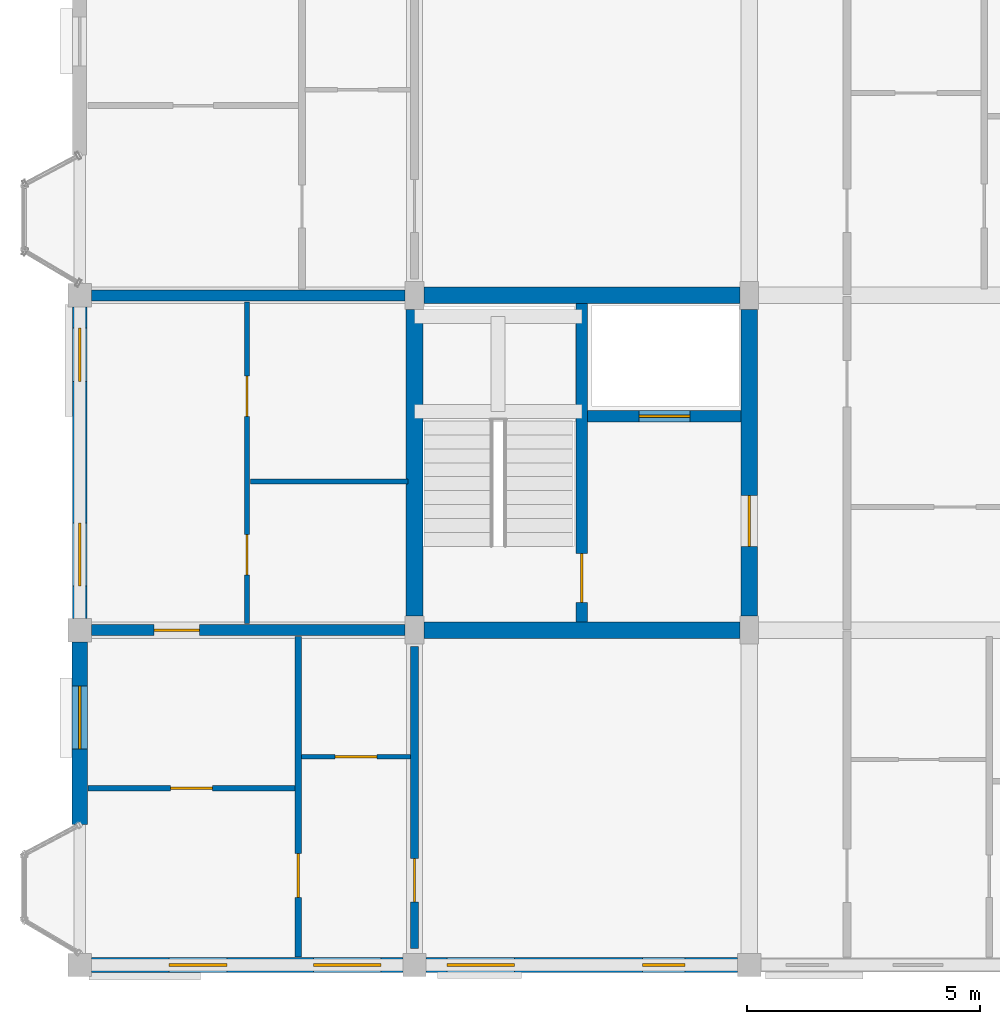
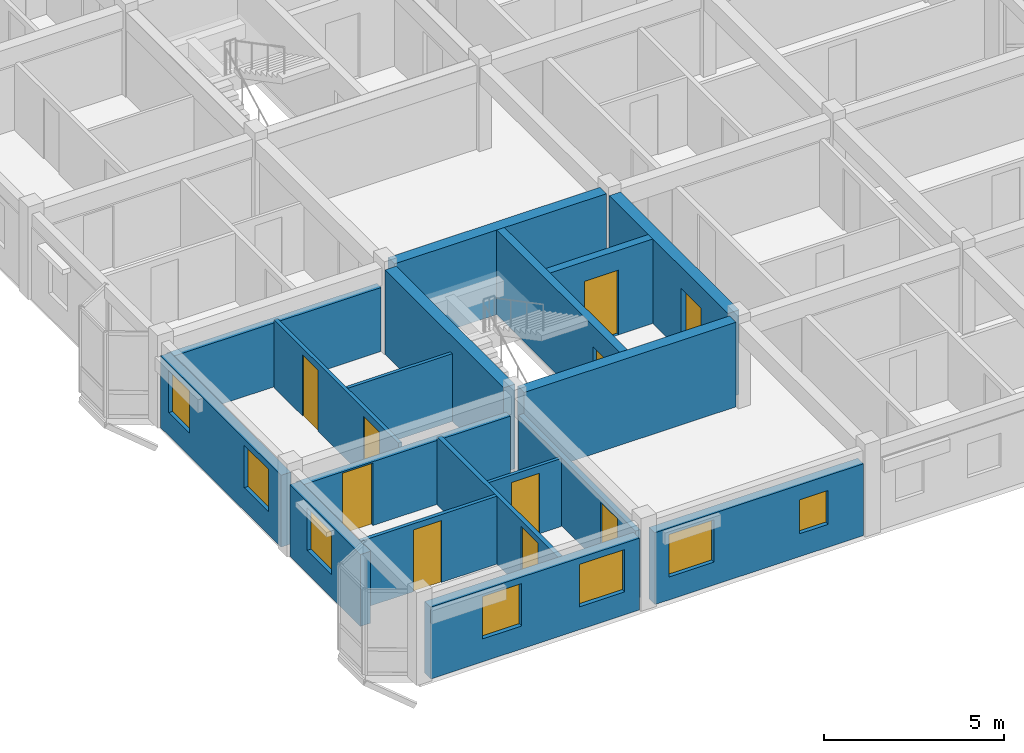
# One storey, part 46 of 70: 18 walls, 10 doors, 7 windows, 17 openings.
"""IFC4 building model written with IfcOpenShell, lengths in metres."""

from ifc_helpers import new_model, si_unit, direction, frame, frame_2d, origin, place, context, subcontext, project, spatial, rectangle, extrude, material, layer, layer_set, type_object, element, fill, save


model = new_model("IFC4")

# Units and contexts
model_context = context("Model", 3, precision=1e-05, world=origin(), true_north=direction((0.0, 1.0)))
body_context = subcontext(model_context, "Body", "Model", "MODEL_VIEW")
ifc_project = project(units=[si_unit("LENGTHUNIT", "METRE"), si_unit("AREAUNIT", "SQUARE_METRE"), si_unit("VOLUMEUNIT", "CUBIC_METRE"), si_unit("PLANEANGLEUNIT", "RADIAN"), si_unit("MASSUNIT", "GRAM", prefix="KILO"), si_unit("THERMODYNAMICTEMPERATUREUNIT", "KELVIN"), si_unit("POWERUNIT", "WATT")], contexts=[model_context])

# Site, building, storey
site_placement = place(None, origin())
site = spatial("IfcSite", under=ifc_project, at=site_placement, CompositionType="ELEMENT")
building_placement = place(site_placement, origin())
building = spatial("IfcBuilding", under=site, at=building_placement, Name="Tavuni Mirador Residences", CompositionType="ELEMENT")
storey_placement = place(building_placement, frame((0.0, 0.0, 23.39990234375)))
storey = spatial("IfcBuildingStorey", under=building, at=storey_placement, Name="L07", CompositionType="ELEMENT", Elevation=23.39990234375)

# Wall, opening, door
ifc_material_1 = material(Name="Precast concrete C40/50", Category="concrete")
ifc_layer_1 = layer(ifc_material_1, 0.25, Name="Precast concrete C40/50", Category="concrete")
ifc_layer_set_1 = layer_set([ifc_layer_1], Name="Precast concrete C40/50")
wall_type_1 = type_object("IfcWallType", Name="WT-COR250", PredefinedType="SHEAR", material=ifc_layer_set_1)
wall_1_placement = place(storey_placement, frame((14.39990234375, 14.580078125, 0.0), z_axis=(0.0, 0.0, 1.0), x_axis=(0.0, 1.0, 0.0)))
wall_1 = element("IfcWall", 1, at=wall_1_placement, inside=storey, type_object=wall_type_1, Name="CWALL-C1-L07-MID", PredefinedType="SHEAR", context=body_context, shape_type="SweptSolid", body=[
    extrude(rectangle(XDim=6.83984375, YDim=0.25, at=frame_2d((3.419921875, 0.0))), origin(), (0.0, 0.0, 1.0), 2.8701171875),
])
opening_1_placement = place(wall_1_placement, frame((0.419921875, 0.0, 0.0)))
opening_1 = element("IfcOpeningElement", 2, at=opening_1_placement, cuts=wall_1, Name="Opening D-01", PredefinedType="OPENING", context=body_context, shape_type="SweptSolid", body=[
    extrude(rectangle(XDim=1.050048828125, YDim=2.14990234375, at=frame_2d((0.52490234375, 1.074951171875))), frame((0.0, 0.135009765625, 0.0), z_axis=(0.0, -1.0, 0.0), x_axis=(1.0, 0.0, 0.0)), (0.0, 0.0, 1.0), 0.27001953125),
])
ifc_material_2 = material(Name="Solid core iroko timber", Category="wood")
door_type_1 = type_object("IfcDoorType", Name="DT-ST1050", OperationType="NOTDEFINED", PredefinedType="DOOR", material=ifc_material_2)
door_1_placement = place(opening_1_placement, origin())
door_1 = element("IfcDoor", 3, at=door_1_placement, inside=storey, type_object=door_type_1, Name="DR-2028", OperationType="SINGLE_SWING_RIGHT", OverallHeight=2.14990234375, OverallWidth=1.050048828125, PredefinedType="DOOR", context=body_context, shape_type="SweptSolid", body=[
    extrude(rectangle(XDim=1.050048828125, YDim=2.14990234375, at=frame_2d((0.52490234375, 1.074951171875))), frame((0.0, 0.02490234375, 0.0), z_axis=(0.0, -1.0, 0.0), x_axis=(1.0, 0.0, 0.0)), (0.0, 0.0, 1.0), 0.050048828125),
])
fill(opening_1, door_1)

wall_2_placement = place(storey_placement, frame((14.52490234375, 19.0, 0.0), z_axis=(0.0, 0.0, 1.0), x_axis=(1.0, 0.0, 0.0)))
wall_2 = element("IfcWall", 4, at=wall_2_placement, inside=storey, type_object=wall_type_1, Name="CWALL-C1-L07-SHF", PredefinedType="SHEAR", context=body_context, shape_type="SweptSolid", body=[
    extrude(rectangle(XDim=3.295166015625, YDim=0.25, at=frame_2d((1.6474609375, 0.0))), origin(), (0.0, 0.0, 1.0), 2.8701171875),
])
opening_2_placement = place(wall_2_placement, frame((1.10009765625, 0.0, 0.0)))
opening_2 = element("IfcOpeningElement", 5, at=opening_2_placement, cuts=wall_2, Name="Opening LD-01", PredefinedType="OPENING", context=body_context, shape_type="SweptSolid", body=[
    extrude(rectangle(XDim=1.10009765625, YDim=2.199951171875, at=frame_2d((0.550048828125, 1.10009765625))), frame((0.0, 0.135009765625, 0.0), z_axis=(0.0, -1.0, 0.0), x_axis=(1.0, 0.0, 0.0)), (0.0, 0.0, 1.0), 0.27001953125),
])
ifc_material_3 = material(Name="Structural steel S355", Category="steel")
door_type_2 = type_object("IfcDoorType", Name="DT-LD-FF", OperationType="SLIDING_TO_LEFT", PredefinedType="DOOR", material=ifc_material_3)
door_2_placement = place(opening_2_placement, origin())
door_2 = element("IfcDoor", 6, at=door_2_placement, inside=storey, type_object=door_type_2, Name="Lift landing door FL-A1 L07", OperationType="SLIDING_TO_LEFT", OverallHeight=2.199951171875, OverallWidth=1.10009765625, PredefinedType="DOOR", context=body_context, shape_type="SweptSolid", body=[
    extrude(rectangle(XDim=1.10009765625, YDim=2.199951171875, at=frame_2d((0.550048828125, 1.10009765625))), frame((0.0, 0.02490234375, 0.0), z_axis=(0.0, -1.0, 0.0), x_axis=(1.0, 0.0, 0.0)), (0.0, 0.0, 1.0), 0.050048828125),
])
fill(opening_2, door_2)

# Walls
ifc_layer_2 = layer(ifc_material_1, 0.360107421875, Name="Precast concrete C40/50", Category="concrete")
ifc_layer_set_2 = layer_set([ifc_layer_2], Name="Precast concrete C40/50")
wall_type_2 = type_object("IfcWallType", Name="WT-COR360", PredefinedType="SHEAR", material=ifc_layer_set_2)
wall_3_placement = place(storey_placement, frame((10.800048828125, 14.699951171875, 0.0), z_axis=(0.0, 0.0, 1.0), x_axis=(0.0, 1.0, 0.0)))
element("IfcWall", 7, at=wall_3_placement, inside=storey, type_object=wall_type_2, Name="CWALL-C1-L07-W", PredefinedType="SHEAR", context=body_context, shape_type="SweptSolid", body=[
    extrude(rectangle(XDim=6.60009765625, YDim=0.360107421875, at=frame_2d((3.300048828125, 0.0))), origin(), (0.0, 0.0, 1.0), 2.8701171875),
])
wall_4_placement = place(storey_placement, frame((11.0, 21.60009765625, 0.0), z_axis=(0.0, 0.0, 1.0), x_axis=(1.0, 0.0, 0.0)))
element("IfcWall", 8, at=wall_4_placement, inside=storey, type_object=wall_type_2, Name="CWALL-C1-L07-N", PredefinedType="SHEAR", context=body_context, shape_type="SweptSolid", body=[
    extrude(rectangle(XDim=6.800048828125, YDim=0.360107421875, at=frame_2d((3.39990234375, 0.0))), origin(), (0.0, 0.0, 1.0), 2.8701171875),
])

# Wall, opening, door
wall_5_placement = place(storey_placement, frame((18.0, 14.699951171875, 0.0), z_axis=(0.0, 0.0, 1.0), x_axis=(0.0, 1.0, 0.0)))
wall_5 = element("IfcWall", 9, at=wall_5_placement, inside=storey, type_object=wall_type_2, Name="CWALL-C1-L07-E", PredefinedType="SHEAR", context=body_context, shape_type="SweptSolid", body=[
    extrude(rectangle(XDim=6.60009765625, YDim=0.360107421875, at=frame_2d((3.300048828125, 0.0))), origin(), (0.0, 0.0, 1.0), 2.8701171875),
])
opening_3_placement = place(wall_5_placement, frame((1.5, 0.0, 0.0)))
opening_3 = element("IfcOpeningElement", 10, at=opening_3_placement, cuts=wall_5, Name="Opening D-02", PredefinedType="OPENING", context=body_context, shape_type="SweptSolid", body=[
    extrude(rectangle(XDim=1.10009765625, YDim=2.14990234375, at=frame_2d((0.550048828125, 1.074951171875))), frame((0.0, 0.18994140625, 0.0), z_axis=(0.0, -1.0, 0.0), x_axis=(1.0, 0.0, 0.0)), (0.0, 0.0, 1.0), 0.380126953125),
])
door_type_3 = type_object("IfcDoorType", Name="DT-LOB1100", OperationType="NOTDEFINED", PredefinedType="DOOR", material=ifc_material_2)
door_3_placement = place(opening_3_placement, frame((1.10009765625, 0.0, 0.0), z_axis=(0.0, 0.0, 1.0), x_axis=(-1.0, 0.0, 0.0)))
door_3 = element("IfcDoor", 11, at=door_3_placement, inside=storey, type_object=door_type_3, Name="DR-2027", OperationType="SINGLE_SWING_RIGHT", OverallHeight=2.14990234375, OverallWidth=1.10009765625, PredefinedType="DOOR", context=body_context, shape_type="SweptSolid", body=[
    extrude(rectangle(XDim=1.10009765625, YDim=2.14990234375, at=frame_2d((0.550048828125, 1.074951171875))), frame((0.0, 0.02490234375, 0.0), z_axis=(0.0, -1.0, 0.0), x_axis=(1.0, 0.0, 0.0)), (0.0, 0.0, 1.0), 0.050048828125),
])
fill(opening_3, door_3)

# Wall
wall_6_placement = place(storey_placement, frame((11.0, 14.39990234375, 0.0), z_axis=(0.0, 0.0, 1.0), x_axis=(1.0, 0.0, 0.0)))
element("IfcWall", 12, at=wall_6_placement, inside=storey, type_object=wall_type_2, Name="CWALL-C1-L07-SS", PredefinedType="SHEAR", context=body_context, shape_type="SweptSolid", body=[
    extrude(rectangle(XDim=6.800048828125, YDim=0.360107421875, at=frame_2d((3.39990234375, 0.0))), origin(), (0.0, 0.0, 1.0), 2.8701171875),
])

# Wall, opening, door
ifc_layer_3 = layer(ifc_material_1, 0.1650390625, Name="Precast concrete C40/50", Category="concrete")
ifc_layer_set_3 = layer_set([ifc_layer_3], Name="Precast concrete C40/50")
wall_type_3 = type_object("IfcWallType", Name="WT-CORR165", PredefinedType="PARTITIONING", material=ifc_layer_set_3)
wall_7_placement = place(storey_placement, frame((10.800048828125, 7.550048828125, 0.0), z_axis=(0.0, 0.0, 1.0), x_axis=(0.0, 1.0, 0.0)))
wall_7 = element("IfcWall", 13, at=wall_7_placement, inside=storey, type_object=wall_type_3, Name="CORW-BLK-A-L07-1-00", PredefinedType="PARTITIONING", context=body_context, shape_type="SweptSolid", body=[
    extrude(rectangle(XDim=6.5, YDim=0.1650390625, at=frame_2d((3.25, 0.0))), origin(), (0.0, 0.0, 1.0), 2.30517578125),
])
opening_4_placement = place(wall_7_placement, frame((1.0, 0.0, 0.0)))
opening_4 = element("IfcOpeningElement", 14, at=opening_4_placement, cuts=wall_7, Name="Opening D-19", PredefinedType="OPENING", context=body_context, shape_type="SweptSolid", body=[
    extrude(rectangle(XDim=0.93994140625, YDim=2.1201171875, at=frame_2d((0.469970703125, 1.06005859375))), frame((0.0, 0.092529296875, 0.0), z_axis=(0.0, -1.0, 0.0), x_axis=(1.0, 0.0, 0.0)), (0.0, 0.0, 1.0), 0.18505859375),
])
door_type_4 = type_object("IfcDoorType", Name="DT-FD60-940", OperationType="NOTDEFINED", PredefinedType="DOOR", material=ifc_material_2)
door_4_placement = place(opening_4_placement, origin())
door_4 = element("IfcDoor", 15, at=door_4_placement, inside=storey, type_object=door_type_4, Name="DR-2458", OperationType="SINGLE_SWING_LEFT", OverallHeight=2.1201171875, OverallWidth=0.93994140625, PredefinedType="DOOR", context=body_context, shape_type="SweptSolid", body=[
    extrude(rectangle(XDim=0.93994140625, YDim=2.1201171875, at=frame_2d((0.469970703125, 1.06005859375))), frame((0.0, 0.02490234375, 0.0), z_axis=(0.0, -1.0, 0.0), x_axis=(1.0, 0.0, 0.0)), (0.0, 0.0, 1.0), 0.050048828125),
])
fill(opening_4, door_4)

# Wall, openings, windows
ifc_layer_4 = layer(ifc_material_1, 0.330078125, Name="Precast concrete C40/50", Category="concrete")
ifc_layer_set_4 = layer_set([ifc_layer_4], Name="Precast concrete C40/50")
wall_type_4 = type_object("IfcWallType", Name="WT-EXT-COR330", PredefinedType="SOLIDWALL", material=ifc_layer_set_4)
wall_8_placement = place(storey_placement, frame((3.85009765625, 7.199951171875, 0.0), z_axis=(0.0, 0.0, 1.0), x_axis=(1.0, 0.0, 0.0)))
wall_8 = element("IfcWall", 16, at=wall_8_placement, inside=storey, type_object=wall_type_4, Name="EW-BLK-A-L07-S00", PredefinedType="SOLIDWALL", context=body_context, shape_type="SweptSolid", body=[
    extrude(rectangle(XDim=6.699951171875, YDim=0.330078125, at=frame_2d((3.35009765625, 0.0))), origin(), (0.0, 0.0, 1.0), 2.440185546875),
])
opening_5_placement = place(wall_8_placement, frame((1.669921875, 0.0, 0.780029296875)))
opening_5 = element("IfcOpeningElement", 17, at=opening_5_placement, cuts=wall_8, Name="Opening WN-28", PredefinedType="OPENING", context=body_context, shape_type="SweptSolid", body=[
    extrude(rectangle(XDim=1.25, YDim=1.43994140625, at=frame_2d((0.625, 0.719970703125))), frame((0.0, 0.175048828125, 0.0), z_axis=(0.0, -1.0, 0.0), x_axis=(1.0, 0.0, 0.0)), (0.0, 0.0, 1.0), 0.35009765625),
])
opening_6_placement = place(wall_8_placement, frame((4.780029296875, 0.0, 0.780029296875)))
opening_6 = element("IfcOpeningElement", 18, at=opening_6_placement, cuts=wall_8, Name="Opening WN-30", PredefinedType="OPENING", context=body_context, shape_type="SweptSolid", body=[
    extrude(rectangle(XDim=1.449951171875, YDim=1.43994140625, at=frame_2d((0.72509765625, 0.719970703125))), frame((0.0, 0.175048828125, 0.0), z_axis=(0.0, -1.0, 0.0), x_axis=(1.0, 0.0, 0.0)), (0.0, 0.0, 1.0), 0.35009765625),
])
ifc_material_4 = material(Name="Laminated solar-control glass", Category="glass")
window_type_1 = type_object("IfcWindowType", Name="WNT-28", PartitioningType="SINGLE_PANEL", PredefinedType="WINDOW", material=ifc_material_4)
window_1_placement = place(opening_5_placement, origin())
window_1 = element("IfcWindow", 19, at=window_1_placement, inside=storey, type_object=window_type_1, Name="WIN-0260", OverallHeight=1.43994140625, OverallWidth=1.25, PartitioningType="SINGLE_PANEL", PredefinedType="WINDOW", context=body_context, shape_type="SweptSolid", body=[
    extrude(rectangle(XDim=1.25, YDim=1.43994140625, at=frame_2d((0.625, 0.719970703125))), frame((0.0, 0.030029296875, 0.0), z_axis=(0.0, -1.0, 0.0), x_axis=(1.0, 0.0, 0.0)), (0.0, 0.0, 1.0), 0.06005859375),
])
fill(opening_5, window_1)
window_type_2 = type_object("IfcWindowType", Name="WNT-30", PartitioningType="SINGLE_PANEL", PredefinedType="WINDOW", material=ifc_material_4)
window_2_placement = place(opening_6_placement, origin())
window_2 = element("IfcWindow", 20, at=window_2_placement, inside=storey, type_object=window_type_2, Name="WIN-0261", OverallHeight=1.43994140625, OverallWidth=1.449951171875, PartitioningType="SINGLE_PANEL", PredefinedType="WINDOW", context=body_context, shape_type="SweptSolid", body=[
    extrude(rectangle(XDim=1.449951171875, YDim=1.43994140625, at=frame_2d((0.72509765625, 0.719970703125))), frame((0.0, 0.030029296875, 0.0), z_axis=(0.0, -1.0, 0.0), x_axis=(1.0, 0.0, 0.0)), (0.0, 0.0, 1.0), 0.06005859375),
])
fill(opening_6, window_2)

# Wall, opening, window
wall_9_placement = place(storey_placement, frame((3.60009765625, 14.14990234375, 0.0), z_axis=(0.0, 0.0, 1.0), x_axis=(0.0, -1.0, 0.0)))
wall_9 = element("IfcWall", 21, at=wall_9_placement, inside=storey, type_object=wall_type_4, Name="EW-BLK-A-L07-W00", PredefinedType="SOLIDWALL", context=body_context, shape_type="SweptSolid", body=[
    extrude(rectangle(XDim=3.929931640625, YDim=0.330078125, at=frame_2d((1.96484375, 0.0))), origin(), (0.0, 0.0, 1.0), 2.440185546875),
])
opening_7_placement = place(wall_9_placement, frame((0.955078125, 0.0, 0.780029296875)))
opening_7 = element("IfcOpeningElement", 22, at=opening_7_placement, cuts=wall_9, Name="Opening WN-29", PredefinedType="OPENING", context=body_context, shape_type="SweptSolid", body=[
    extrude(rectangle(XDim=1.35009765625, YDim=1.43994140625, at=frame_2d((0.675048828125, 0.719970703125))), frame((0.0, 0.175048828125, 0.0), z_axis=(0.0, -1.0, 0.0), x_axis=(1.0, 0.0, 0.0)), (0.0, 0.0, 1.0), 0.35009765625),
])
window_type_3 = type_object("IfcWindowType", Name="WNT-29", PartitioningType="SINGLE_PANEL", PredefinedType="WINDOW", material=ifc_material_4)
window_3_placement = place(opening_7_placement, origin())
window_3 = element("IfcWindow", 23, at=window_3_placement, inside=storey, type_object=window_type_3, Name="WIN-0291", OverallHeight=1.43994140625, OverallWidth=1.35009765625, PartitioningType="SINGLE_PANEL", PredefinedType="WINDOW", context=body_context, shape_type="SweptSolid", body=[
    extrude(rectangle(XDim=1.35009765625, YDim=1.43994140625, at=frame_2d((0.675048828125, 0.719970703125))), frame((0.0, 0.030029296875, 0.0), z_axis=(0.0, -1.0, 0.0), x_axis=(1.0, 0.0, 0.0)), (0.0, 0.0, 1.0), 0.06005859375),
])
fill(opening_7, window_3)

# Wall, openings, windows
ifc_material_5 = material(Name="Sgraffito lime-rendered precast concrete C40/50", Category="concrete")
ifc_layer_5 = layer(ifc_material_5, 0.31494140625, Name="Sgraffito lime-rendered precast concrete C40/50", Category="concrete")
ifc_layer_set_5 = layer_set([ifc_layer_5], Name="Sgraffito lime-rendered precast concrete C40/50")
wall_type_5 = type_object("IfcWallType", Name="WT-EXT-PC315", PredefinedType="SOLIDWALL", material=ifc_layer_set_5)
wall_10_placement = place(storey_placement, frame((11.050048828125, 7.199951171875, 0.0), z_axis=(0.0, 0.0, 1.0), x_axis=(1.0, 0.0, 0.0)))
wall_10 = element("IfcWall", 24, at=wall_10_placement, inside=storey, type_object=wall_type_5, Name="EW-BLK-A-L07-S01", PredefinedType="SOLIDWALL", context=body_context, shape_type="SweptSolid", body=[
    extrude(rectangle(XDim=6.699951171875, YDim=0.31494140625, at=frame_2d((3.35009765625, 0.0))), origin(), (0.0, 0.0, 1.0), 2.440185546875),
])
opening_8_placement = place(wall_10_placement, frame((0.449951171875, 0.0, 0.780029296875)))
opening_8 = element("IfcOpeningElement", 25, at=opening_8_placement, cuts=wall_10, Name="Opening WN-30", PredefinedType="OPENING", context=body_context, shape_type="SweptSolid", body=[
    extrude(rectangle(XDim=1.449951171875, YDim=1.43994140625, at=frame_2d((0.72509765625, 0.719970703125))), frame((0.0, 0.16748046875, 0.0), z_axis=(0.0, -1.0, 0.0), x_axis=(1.0, 0.0, 0.0)), (0.0, 0.0, 1.0), 0.3349609375),
])
opening_9_placement = place(wall_10_placement, frame((4.64990234375, 0.0, 0.780029296875)))
opening_9 = element("IfcOpeningElement", 26, at=opening_9_placement, cuts=wall_10, Name="Opening WN-02", PredefinedType="OPENING", context=body_context, shape_type="SweptSolid", body=[
    extrude(rectangle(XDim=0.919921875, YDim=1.14990234375, at=frame_2d((0.4599609375, 0.574951171875))), frame((0.0, 0.16748046875, 0.0), z_axis=(0.0, -1.0, 0.0), x_axis=(1.0, 0.0, 0.0)), (0.0, 0.0, 1.0), 0.3349609375),
])
window_type_4 = type_object("IfcWindowType", Name="WNT-02", PartitioningType="SINGLE_PANEL", PredefinedType="WINDOW", material=ifc_material_4)
window_4_placement = place(opening_9_placement, origin())
window_4 = element("IfcWindow", 27, at=window_4_placement, inside=storey, type_object=window_type_4, Name="WIN-0263", OverallHeight=1.14990234375, OverallWidth=0.919921875, PartitioningType="SINGLE_PANEL", PredefinedType="WINDOW", context=body_context, shape_type="SweptSolid", body=[
    extrude(rectangle(XDim=0.919921875, YDim=1.14990234375, at=frame_2d((0.4599609375, 0.574951171875))), frame((0.0, 0.030029296875, 0.0), z_axis=(0.0, -1.0, 0.0), x_axis=(1.0, 0.0, 0.0)), (0.0, 0.0, 1.0), 0.06005859375),
])
fill(opening_9, window_4)
window_5_placement = place(opening_8_placement, origin())
window_5 = element("IfcWindow", 28, at=window_5_placement, inside=storey, type_object=window_type_2, Name="WIN-0262", OverallHeight=1.43994140625, OverallWidth=1.449951171875, PartitioningType="SINGLE_PANEL", PredefinedType="WINDOW", context=body_context, shape_type="SweptSolid", body=[
    extrude(rectangle(XDim=1.449951171875, YDim=1.43994140625, at=frame_2d((0.72509765625, 0.719970703125))), frame((0.0, 0.030029296875, 0.0), z_axis=(0.0, -1.0, 0.0), x_axis=(1.0, 0.0, 0.0)), (0.0, 0.0, 1.0), 0.06005859375),
])
fill(opening_8, window_5)

wall_11_placement = place(storey_placement, frame((3.60009765625, 21.35009765625, 0.0), z_axis=(0.0, 0.0, 1.0), x_axis=(0.0, -1.0, 0.0)))
wall_11 = element("IfcWall", 29, at=wall_11_placement, inside=storey, type_object=wall_type_5, Name="EW-BLK-A-L07-W01", PredefinedType="SOLIDWALL", context=body_context, shape_type="SweptSolid", body=[
    extrude(rectangle(XDim=6.7001953125, YDim=0.31494140625, at=frame_2d((3.35009765625, 0.0))), origin(), (0.0, 0.0, 1.0), 2.440185546875),
])
opening_10_placement = place(wall_11_placement, frame((0.449951171875, 0.0, 0.780029296875)))
opening_10 = element("IfcOpeningElement", 30, at=opening_10_placement, cuts=wall_11, Name="Opening WN-27", PredefinedType="OPENING", context=body_context, shape_type="SweptSolid", body=[
    extrude(rectangle(XDim=1.14990234375, YDim=1.43994140625, at=frame_2d((0.574951171875, 0.719970703125))), frame((0.0, 0.16748046875, 0.0), z_axis=(0.0, -1.0, 0.0), x_axis=(1.0, 0.0, 0.0)), (0.0, 0.0, 1.0), 0.3349609375),
])
opening_11_placement = place(wall_11_placement, frame((4.64990234375, 0.0, 0.780029296875)))
opening_11 = element("IfcOpeningElement", 31, at=opening_11_placement, cuts=wall_11, Name="Opening WN-29", PredefinedType="OPENING", context=body_context, shape_type="SweptSolid", body=[
    extrude(rectangle(XDim=1.35009765625, YDim=1.43994140625, at=frame_2d((0.675048828125, 0.719970703125))), frame((0.0, 0.16748046875, 0.0), z_axis=(0.0, -1.0, 0.0), x_axis=(1.0, 0.0, 0.0)), (0.0, 0.0, 1.0), 0.3349609375),
])
window_type_5 = type_object("IfcWindowType", Name="WNT-27", PartitioningType="SINGLE_PANEL", PredefinedType="WINDOW", material=ifc_material_4)
window_6_placement = place(opening_10_placement, origin())
window_6 = element("IfcWindow", 32, at=window_6_placement, inside=storey, type_object=window_type_5, Name="WIN-0289", OverallHeight=1.43994140625, OverallWidth=1.14990234375, PartitioningType="SINGLE_PANEL", PredefinedType="WINDOW", context=body_context, shape_type="SweptSolid", body=[
    extrude(rectangle(XDim=1.14990234375, YDim=1.43994140625, at=frame_2d((0.574951171875, 0.719970703125))), frame((0.0, 0.030029296875, 0.0), z_axis=(0.0, -1.0, 0.0), x_axis=(1.0, 0.0, 0.0)), (0.0, 0.0, 1.0), 0.06005859375),
])
fill(opening_10, window_6)
window_7_placement = place(opening_11_placement, origin())
window_7 = element("IfcWindow", 33, at=window_7_placement, inside=storey, type_object=window_type_3, Name="WIN-0290", OverallHeight=1.43994140625, OverallWidth=1.35009765625, PartitioningType="SINGLE_PANEL", PredefinedType="WINDOW", context=body_context, shape_type="SweptSolid", body=[
    extrude(rectangle(XDim=1.35009765625, YDim=1.43994140625, at=frame_2d((0.675048828125, 0.719970703125))), frame((0.0, 0.030029296875, 0.0), z_axis=(0.0, -1.0, 0.0), x_axis=(1.0, 0.0, 0.0)), (0.0, 0.0, 1.0), 0.06005859375),
])
fill(opening_11, window_7)

# Wall, opening, door
ifc_material_6 = material(Name="Acoustic gypsum and concrete block partition", Category="concrete")
ifc_layer_6 = layer(ifc_material_6, 0.10498046875, Name="Acoustic gypsum and concrete block partition", Category="concrete")
ifc_layer_set_6 = layer_set([ifc_layer_6], Name="Acoustic gypsum and concrete block partition")
wall_type_6 = type_object("IfcWallType", Name="WT-PART105", PredefinedType="PARTITIONING", material=ifc_layer_set_6)
wall_12_placement = place(storey_placement, frame((8.3701171875, 11.679931640625, 0.0), z_axis=(0.0, 0.0, 1.0), x_axis=(1.0, 0.0, 0.0)))
wall_12 = element("IfcWall", 34, at=wall_12_placement, inside=storey, type_object=wall_type_6, Name="PW-BLK-A-L07-W00-IN1", PredefinedType="PARTITIONING", context=body_context, shape_type="SweptSolid", body=[
    extrude(rectangle(XDim=2.33984375, YDim=0.10498046875, at=frame_2d((1.169921875, 0.0))), origin(), (0.0, 0.0, 1.0), 2.30517578125),
])
opening_12_placement = place(wall_12_placement, frame((0.719970703125, 0.0, 0.0)))
opening_12 = element("IfcOpeningElement", 35, at=opening_12_placement, cuts=wall_12, Name="Opening D-09", PredefinedType="OPENING", context=body_context, shape_type="SweptSolid", body=[
    extrude(rectangle(XDim=0.89990234375, YDim=2.050048828125, at=frame_2d((0.449951171875, 1.02490234375))), frame((0.0, 0.0625, 0.0), z_axis=(0.0, -1.0, 0.0), x_axis=(1.0, 0.0, 0.0)), (0.0, 0.0, 1.0), 0.125),
])
door_type_5 = type_object("IfcDoorType", Name="DT-WC900", OperationType="NOTDEFINED", PredefinedType="DOOR", material=ifc_material_2)
door_5_placement = place(opening_12_placement, origin())
door_5 = element("IfcDoor", 36, at=door_5_placement, inside=storey, type_object=door_type_5, Name="DR-3172", OperationType="SINGLE_SWING_RIGHT", OverallHeight=2.050048828125, OverallWidth=0.89990234375, PredefinedType="DOOR", context=body_context, shape_type="SweptSolid", body=[
    extrude(rectangle(XDim=0.89990234375, YDim=2.050048828125, at=frame_2d((0.449951171875, 1.02490234375))), frame((0.0, 0.02490234375, 0.0), z_axis=(0.0, -1.0, 0.0), x_axis=(1.0, 0.0, 0.0)), (0.0, 0.0, 1.0), 0.050048828125),
])
fill(opening_12, door_5)

# Wall
wall_13_placement = place(storey_placement, frame((7.27001953125, 17.60009765625, 0.0), z_axis=(0.0, 0.0, 1.0), x_axis=(1.0, 0.0, 0.0)))
element("IfcWall", 37, at=wall_13_placement, inside=storey, type_object=wall_type_6, Name="PW-BLK-A-L07-WC01-H", PredefinedType="PARTITIONING", context=body_context, shape_type="SweptSolid", body=[
    extrude(rectangle(XDim=3.389892578125, YDim=0.10498046875, at=frame_2d((1.69482421875, 0.0))), origin(), (0.0, 0.0, 1.0), 2.30517578125),
])

# Wall, opening, door
ifc_layer_7 = layer(ifc_material_6, 0.114990234375, Name="Acoustic gypsum and concrete block partition", Category="concrete")
ifc_layer_set_7 = layer_set([ifc_layer_7], Name="Acoustic gypsum and concrete block partition")
wall_type_7 = type_object("IfcWallType", Name="WT-PART115", PredefinedType="PARTITIONING", material=ifc_layer_set_7)
wall_14_placement = place(storey_placement, frame((3.77490234375, 11.0, 0.0), z_axis=(0.0, 0.0, 1.0), x_axis=(1.0, 0.0, 0.0)))
wall_14 = element("IfcWall", 38, at=wall_14_placement, inside=storey, type_object=wall_type_7, Name="PW-BLK-A-L07-W00-OUT", PredefinedType="PARTITIONING", context=body_context, shape_type="SweptSolid", body=[
    extrude(rectangle(XDim=4.455078125, YDim=0.114990234375, at=frame_2d((2.2275390625, 0.0))), origin(), (0.0, 0.0, 1.0), 2.30517578125),
])
opening_13_placement = place(wall_14_placement, frame((1.777587890625, 0.0, 0.0)))
opening_13 = element("IfcOpeningElement", 39, at=opening_13_placement, cuts=wall_14, Name="Opening D-07", PredefinedType="OPENING", context=body_context, shape_type="SweptSolid", body=[
    extrude(rectangle(XDim=0.89990234375, YDim=2.10009765625, at=frame_2d((0.449951171875, 1.050048828125))), frame((0.0, 0.0673828125, 0.0), z_axis=(0.0, -1.0, 0.0), x_axis=(1.0, 0.0, 0.0)), (0.0, 0.0, 1.0), 0.135009765625),
])
door_type_6 = type_object("IfcDoorType", Name="DT-BED900", OperationType="NOTDEFINED", PredefinedType="DOOR", material=ifc_material_2)
door_6_placement = place(opening_13_placement, origin())
door_6 = element("IfcDoor", 40, at=door_6_placement, inside=storey, type_object=door_type_6, Name="DR-3171", OperationType="SINGLE_SWING_LEFT", OverallHeight=2.10009765625, OverallWidth=0.89990234375, PredefinedType="DOOR", context=body_context, shape_type="SweptSolid", body=[
    extrude(rectangle(XDim=0.89990234375, YDim=2.10009765625, at=frame_2d((0.449951171875, 1.050048828125))), frame((0.0, 0.02490234375, 0.0), z_axis=(0.0, -1.0, 0.0), x_axis=(1.0, 0.0, 0.0)), (0.0, 0.0, 1.0), 0.050048828125),
])
fill(opening_13, door_6)

# Wall, openings, doors
wall_15_placement = place(storey_placement, frame((7.199951171875, 14.5400390625, 0.0), z_axis=(0.0, 0.0, 1.0), x_axis=(0.0, 1.0, 0.0)))
wall_15 = element("IfcWall", 41, at=wall_15_placement, inside=storey, type_object=wall_type_7, Name="PW-BLK-A-L07-WC01-M", PredefinedType="PARTITIONING", context=body_context, shape_type="SweptSolid", body=[
    extrude(rectangle(XDim=6.919921875, YDim=0.114990234375, at=frame_2d((3.4599609375, 0.0))), origin(), (0.0, 0.0, 1.0), 2.30517578125),
])
opening_14_placement = place(wall_15_placement, frame((1.050048828125, 0.0, 0.0)))
opening_14 = element("IfcOpeningElement", 42, at=opening_14_placement, cuts=wall_15, Name="Opening D-10", PredefinedType="OPENING", context=body_context, shape_type="SweptSolid", body=[
    extrude(rectangle(XDim=0.8701171875, YDim=2.050048828125, at=frame_2d((0.43505859375, 1.02490234375))), frame((0.0, 0.0673828125, 0.0), z_axis=(0.0, -1.0, 0.0), x_axis=(1.0, 0.0, 0.0)), (0.0, 0.0, 1.0), 0.135009765625),
])
opening_15_placement = place(wall_15_placement, frame((4.449951171875, 0.0, 0.0)))
opening_15 = element("IfcOpeningElement", 43, at=opening_15_placement, cuts=wall_15, Name="Opening D-08", PredefinedType="OPENING", context=body_context, shape_type="SweptSolid", body=[
    extrude(rectangle(XDim=0.8798828125, YDim=2.080078125, at=frame_2d((0.43994140625, 1.0400390625))), frame((0.0, 0.0673828125, 0.0), z_axis=(0.0, -1.0, 0.0), x_axis=(1.0, 0.0, 0.0)), (0.0, 0.0, 1.0), 0.135009765625),
])
door_type_7 = type_object("IfcDoorType", Name="DT-BED880", OperationType="NOTDEFINED", PredefinedType="DOOR", material=ifc_material_2)
door_7_placement = place(opening_15_placement, origin())
door_7 = element("IfcDoor", 44, at=door_7_placement, inside=storey, type_object=door_type_7, Name="DR-3178", OperationType="SINGLE_SWING_LEFT", OverallHeight=2.080078125, OverallWidth=0.8798828125, PredefinedType="DOOR", context=body_context, shape_type="SweptSolid", body=[
    extrude(rectangle(XDim=0.8798828125, YDim=2.080078125, at=frame_2d((0.43994140625, 1.0400390625))), frame((0.0, 0.02490234375, 0.0), z_axis=(0.0, -1.0, 0.0), x_axis=(1.0, 0.0, 0.0)), (0.0, 0.0, 1.0), 0.050048828125),
])
fill(opening_15, door_7)
door_type_8 = type_object("IfcDoorType", Name="DT-WC870", OperationType="NOTDEFINED", PredefinedType="DOOR", material=ifc_material_2)
door_8_placement = place(opening_14_placement, origin())
door_8 = element("IfcDoor", 45, at=door_8_placement, inside=storey, type_object=door_type_8, Name="DR-3177", OperationType="SINGLE_SWING_RIGHT", OverallHeight=2.050048828125, OverallWidth=0.8701171875, PredefinedType="DOOR", context=body_context, shape_type="SweptSolid", body=[
    extrude(rectangle(XDim=0.8701171875, YDim=2.050048828125, at=frame_2d((0.43505859375, 1.02490234375))), frame((0.0, 0.02490234375, 0.0), z_axis=(0.0, -1.0, 0.0), x_axis=(1.0, 0.0, 0.0)), (0.0, 0.0, 1.0), 0.050048828125),
])
fill(opening_14, door_8)

# Wall, opening, door
ifc_layer_8 = layer(ifc_material_6, 0.139892578125, Name="Acoustic gypsum and concrete block partition", Category="concrete")
ifc_layer_set_8 = layer_set([ifc_layer_8], Name="Acoustic gypsum and concrete block partition")
wall_type_8 = type_object("IfcWallType", Name="WT-PART140", PredefinedType="PARTITIONING", material=ifc_layer_set_8)
wall_16_placement = place(storey_placement, frame((8.300048828125, 7.375, 0.0), z_axis=(0.0, 0.0, 1.0), x_axis=(0.0, 1.0, 0.0)))
wall_16 = element("IfcWall", 46, at=wall_16_placement, inside=storey, type_object=wall_type_8, Name="PW-BLK-A-L07-W00-MID", PredefinedType="PARTITIONING", context=body_context, shape_type="SweptSolid", body=[
    extrude(rectangle(XDim=6.885009765625, YDim=0.139892578125, at=frame_2d((3.4423828125, 0.0))), origin(), (0.0, 0.0, 1.0), 2.30517578125),
])
opening_16_placement = place(wall_16_placement, frame((1.27490234375, 0.0, 0.0)))
opening_16 = element("IfcOpeningElement", 47, at=opening_16_placement, cuts=wall_16, Name="Opening D-05", PredefinedType="OPENING", context=body_context, shape_type="SweptSolid", body=[
    extrude(rectangle(XDim=0.949951171875, YDim=2.10009765625, at=frame_2d((0.47509765625, 1.050048828125))), frame((0.0, 0.080078125, 0.0), z_axis=(0.0, -1.0, 0.0), x_axis=(1.0, 0.0, 0.0)), (0.0, 0.0, 1.0), 0.159912109375),
])
door_type_9 = type_object("IfcDoorType", Name="DT-INT950", OperationType="NOTDEFINED", PredefinedType="DOOR", material=ifc_material_2)
door_9_placement = place(opening_16_placement, origin())
door_9 = element("IfcDoor", 48, at=door_9_placement, inside=storey, type_object=door_type_9, Name="DR-3173", OperationType="SINGLE_SWING_LEFT", OverallHeight=2.10009765625, OverallWidth=0.949951171875, PredefinedType="DOOR", context=body_context, shape_type="SweptSolid", body=[
    extrude(rectangle(XDim=0.949951171875, YDim=2.10009765625, at=frame_2d((0.47509765625, 1.050048828125))), frame((0.0, 0.02490234375, 0.0), z_axis=(0.0, -1.0, 0.0), x_axis=(1.0, 0.0, 0.0)), (0.0, 0.0, 1.0), 0.050048828125),
])
fill(opening_16, door_9)

ifc_layer_9 = layer(ifc_material_1, 0.235107421875, Name="Precast concrete C40/50", Category="concrete")
ifc_layer_set_9 = layer_set([ifc_layer_9], Name="Precast concrete C40/50")
wall_type_9 = type_object("IfcWallType", Name="WT-XW235", PredefinedType="SOLIDWALL", material=ifc_layer_set_9)
wall_17_placement = place(storey_placement, frame((3.85009765625, 14.39990234375, 0.0), z_axis=(0.0, 0.0, 1.0), x_axis=(1.0, 0.0, 0.0)))
wall_17 = element("IfcWall", 49, at=wall_17_placement, inside=storey, type_object=wall_type_9, Name="XW-BLK-A-L07-W-01", PredefinedType="SOLIDWALL", context=body_context, shape_type="SweptSolid", body=[
    extrude(rectangle(XDim=6.75, YDim=0.235107421875, at=frame_2d((3.375, 0.0))), origin(), (0.0, 0.0, 1.0), 2.170166015625),
])
opening_17_placement = place(wall_17_placement, frame((1.35009765625, 0.0, 0.0)))
opening_17 = element("IfcOpeningElement", 50, at=opening_17_placement, cuts=wall_17, Name="Opening D-04", PredefinedType="OPENING", context=body_context, shape_type="SweptSolid", body=[
    extrude(rectangle(XDim=0.97998046875, YDim=2.1201171875, at=frame_2d((0.489990234375, 1.06005859375))), frame((0.0, 0.12744140625, 0.0), z_axis=(0.0, -1.0, 0.0), x_axis=(1.0, 0.0, 0.0)), (0.0, 0.0, 1.0), 0.255126953125),
])
door_type_10 = type_object("IfcDoorType", Name="DT-FD60-980", OperationType="NOTDEFINED", PredefinedType="DOOR", material=ifc_material_2)
door_10_placement = place(opening_17_placement, origin())
door_10 = element("IfcDoor", 51, at=door_10_placement, inside=storey, type_object=door_type_10, Name="DR-4688", OperationType="SINGLE_SWING_LEFT", OverallHeight=2.1201171875, OverallWidth=0.97998046875, PredefinedType="DOOR", context=body_context, shape_type="SweptSolid", body=[
    extrude(rectangle(XDim=0.97998046875, YDim=2.1201171875, at=frame_2d((0.489990234375, 1.06005859375))), frame((0.0, 0.02490234375, 0.0), z_axis=(0.0, -1.0, 0.0), x_axis=(1.0, 0.0, 0.0)), (0.0, 0.0, 1.0), 0.050048828125),
])
fill(opening_17, door_10)

# Wall
wall_18_placement = place(storey_placement, frame((3.85009765625, 21.60009765625, 0.0), z_axis=(0.0, 0.0, 1.0), x_axis=(1.0, 0.0, 0.0)))
element("IfcWall", 52, at=wall_18_placement, inside=storey, type_object=wall_type_9, Name="XW-BLK-A-L07-W-02", PredefinedType="SOLIDWALL", context=body_context, shape_type="SweptSolid", body=[
    extrude(rectangle(XDim=6.75, YDim=0.235107421875, at=frame_2d((3.375, 0.0))), origin(), (0.0, 0.0, 1.0), 2.170166015625),
])

save(model, "model.ifc")
